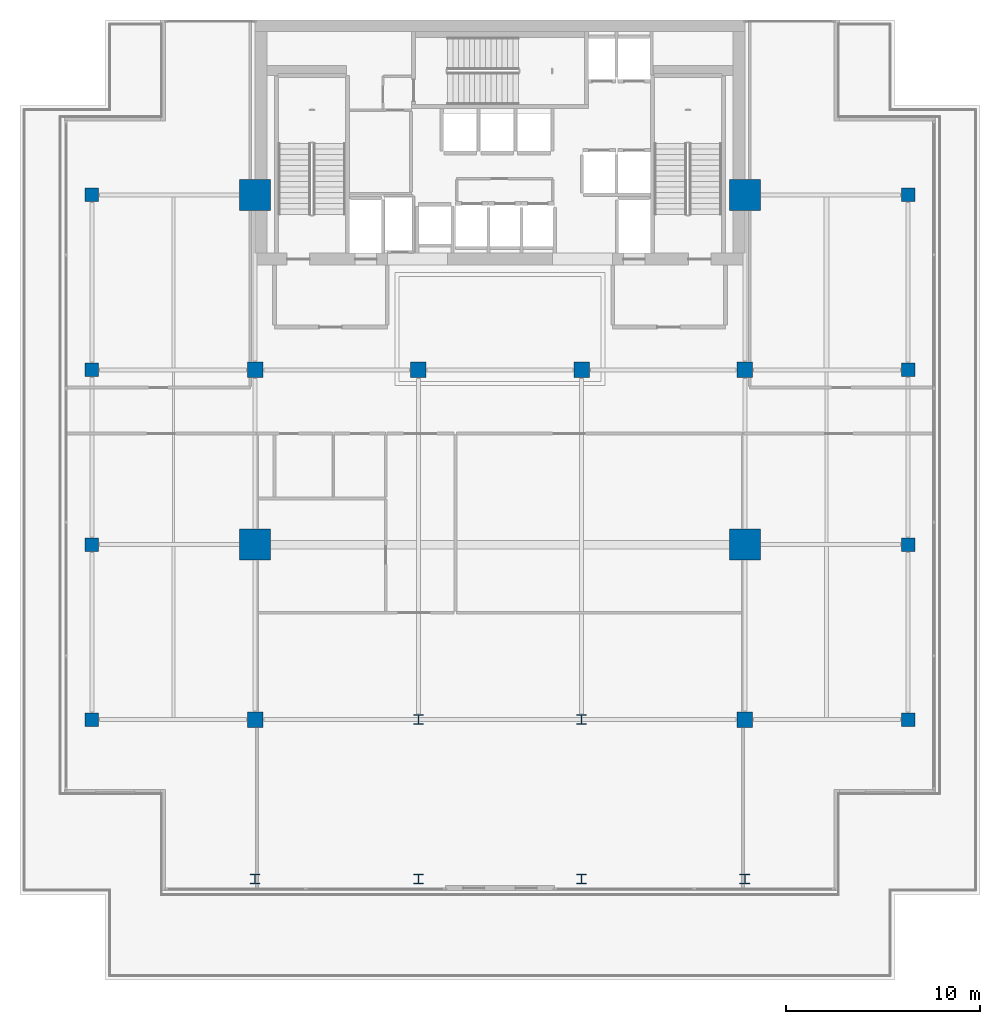
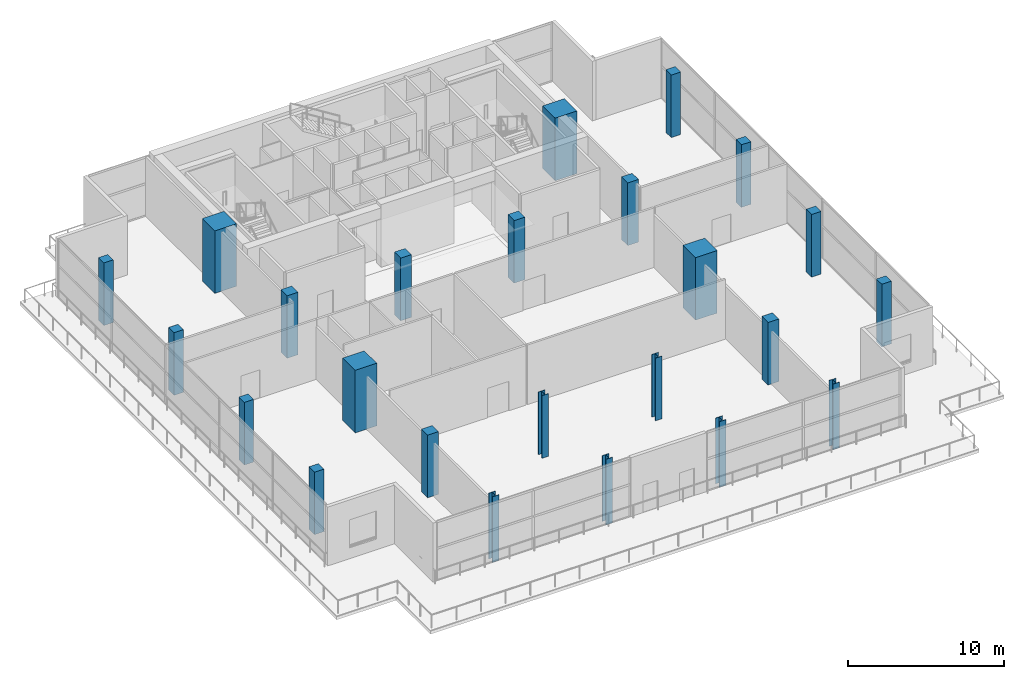
# One storey, part 1 of 28: 24 columns.
"""IFC4 building model written with IfcOpenShell, lengths in metres."""

from ifc_helpers import new_model, si_unit, direction, frame, origin, origin_2d, place, context, subcontext, project, spatial, rectangle, i_section, extrude, material, material_profile, profile_set, type_object, element, save


model = new_model("IFC4")

# Units and contexts
model_context = context("Model", 3, precision=1e-05, world=origin(), true_north=direction((0.0, 1.0)))
body_context = subcontext(model_context, "Body", "Model", "MODEL_VIEW")
ifc_project = project(units=[si_unit("LENGTHUNIT", "METRE"), si_unit("AREAUNIT", "SQUARE_METRE"), si_unit("VOLUMEUNIT", "CUBIC_METRE"), si_unit("PLANEANGLEUNIT", "RADIAN"), si_unit("MASSUNIT", "GRAM", prefix="KILO")], contexts=[model_context])

# Site, building, storey
site_placement = place(None, origin())
site = spatial("IfcSite", under=ifc_project, at=site_placement, CompositionType="ELEMENT")
building_placement = place(site_placement, origin())
building = spatial("IfcBuilding", under=site, at=building_placement, Name="Maruvema Waterfront Hotel and Observation Tower", CompositionType="ELEMENT")
storey_placement = place(building_placement, frame((0.0, 0.0, 234.5)))
storey = spatial("IfcBuildingStorey", under=building, at=storey_placement, Name="L57", CompositionType="ELEMENT", Elevation=234.5)

# Columns
ifc_material_1 = material(Name="Concrete C70/85", Category="concrete")
ifc_material_profile_1 = material_profile(ifc_material_1, rectangle(XDim=1.60009765625, YDim=1.60009765625, at=origin_2d()), Name="MC1600x1600")
ifc_profile_set_1 = profile_set([ifc_material_profile_1], Name="Concrete C70/85")
column_type_1 = type_object("IfcColumnType", Name="Continuous Mega-Column MC1600x1600", PredefinedType="COLUMN", material=ifc_profile_set_1)
for number, where, z_axis, x_axis, name in (
    (1, (25.199951171875, 27.0, 0.0), (0.0, 0.0, 1.0), (1.0, 0.0, 0.0), "L57 Continuous Mega-Column MC-01"),
    (2, (50.39990234375, 27.0, 0.0), (0.0, 0.0, 1.0), (1.0, 0.0, 0.0), "L57 Continuous Mega-Column MC-02"),
    (3, (25.199951171875, 45.0, 0.0), (0.0, 0.0, 1.0), (1.0, 0.0, 0.0), "L57 Continuous Mega-Column MC-03"),
    (4, (50.39990234375, 45.0, 0.0), (0.0, 0.0, 1.0), (1.0, 0.0, 0.0), "L57 Continuous Mega-Column MC-04"),
):
    element("IfcColumn", number, at=place(storey_placement, frame(where, z_axis=z_axis, x_axis=x_axis)), inside=storey, type_object=column_type_1, Name=name, PredefinedType="COLUMN", context=body_context, shape_type="SweptSolid", body=[
        extrude(rectangle(XDim=1.60009765625, YDim=1.60009765625, at=origin_2d()), origin(), (0.0, 0.0, 1.0), 4.89990234375),
    ])
ifc_material_2 = material(Name="Concrete C60/75", Category="concrete")
ifc_material_profile_2 = material_profile(ifc_material_2, rectangle(XDim=0.699951171875, YDim=0.699951171875, at=origin_2d()), Name="RC700x700")
ifc_profile_set_2 = profile_set([ifc_material_profile_2], Name="Concrete C60/75")
column_type_2 = type_object("IfcColumnType", Name="Reinforced Concrete Column RC700x700", PredefinedType="COLUMN", material=ifc_profile_set_2)
for number, where, z_axis, x_axis, name in (
    (5, (16.800048828125, 18.0, 0.0), (0.0, 0.0, 1.0), (1.0, 0.0, 0.0), "L57 Column C-3Y18"),
    (6, (58.800048828125, 18.0, 0.0), (0.0, 0.0, 1.0), (1.0, 0.0, 0.0), "L57 Column C-8Y18"),
    (7, (16.800048828125, 27.0, 0.0), (0.0, 0.0, 1.0), (1.0, 0.0, 0.0), "L57 Column C-3Y27"),
    (8, (58.800048828125, 27.0, 0.0), (0.0, 0.0, 1.0), (1.0, 0.0, 0.0), "L57 Column C-8Y27"),
    (9, (16.800048828125, 36.0, 0.0), (0.0, 0.0, 1.0), (1.0, 0.0, 0.0), "L57 Column C-3Y36"),
    (10, (58.800048828125, 36.0, 0.0), (0.0, 0.0, 1.0), (1.0, 0.0, 0.0), "L57 Column C-8Y36"),
    (11, (16.800048828125, 45.0, 0.0), (0.0, 0.0, 1.0), (1.0, 0.0, 0.0), "L57 Column C-3Y45"),
    (12, (58.800048828125, 45.0, 0.0), (0.0, 0.0, 1.0), (1.0, 0.0, 0.0), "L57 Column C-8Y45"),
):
    element("IfcColumn", number, at=place(storey_placement, frame(where, z_axis=z_axis, x_axis=x_axis)), inside=storey, type_object=column_type_2, Name=name, PredefinedType="COLUMN", context=body_context, shape_type="SweptSolid", body=[
        extrude(rectangle(XDim=0.699951171875, YDim=0.699951171875, at=origin_2d()), origin(), (0.0, 0.0, 1.0), 4.89990234375),
    ])
ifc_material_3 = material(Name="Concrete C60/75", Category="concrete")
ifc_material_profile_3 = material_profile(ifc_material_3, rectangle(XDim=0.800048828125, YDim=0.800048828125, at=origin_2d()), Name="RC800x800")
ifc_profile_set_3 = profile_set([ifc_material_profile_3], Name="Concrete C60/75")
column_type_3 = type_object("IfcColumnType", Name="Reinforced Concrete Column RC800x800", PredefinedType="COLUMN", material=ifc_profile_set_3)
for number, where, z_axis, x_axis, name in (
    (13, (25.199951171875, 36.0, 0.0), (0.0, 0.0, 1.0), (1.0, 0.0, 0.0), "L57 Column C-4E"),
    (14, (33.60009765625, 36.0, 0.0), (0.0, 0.0, 1.0), (1.0, 0.0, 0.0), "L57 Column C-5E"),
    (15, (42.0, 36.0, 0.0), (0.0, 0.0, 1.0), (1.0, 0.0, 0.0), "L57 Column C-6E"),
    (16, (50.39990234375, 36.0, 0.0), (0.0, 0.0, 1.0), (1.0, 0.0, 0.0), "L57 Column C-7E"),
    (17, (25.199951171875, 18.0, 0.0), (0.0, 0.0, 1.0), (1.0, 0.0, 0.0), "L57 Column C-4C"),
    (18, (50.39990234375, 18.0, 0.0), (0.0, 0.0, 1.0), (1.0, 0.0, 0.0), "L57 Column C-7C"),
):
    element("IfcColumn", number, at=place(storey_placement, frame(where, z_axis=z_axis, x_axis=x_axis)), inside=storey, type_object=column_type_3, Name=name, PredefinedType="COLUMN", context=body_context, shape_type="SweptSolid", body=[
        extrude(rectangle(XDim=0.800048828125, YDim=0.800048828125, at=origin_2d()), origin(), (0.0, 0.0, 1.0), 4.89990234375),
    ])
ifc_material_4 = material(Name="Steel ABNT NBR 7007 AR 415 (ASTM A572 Grade 50)", Category="steel")
ifc_material_profile_4 = material_profile(ifc_material_4, i_section(OverallWidth=0.5, OverallDepth=0.5, WebThickness=0.02197265625, FlangeThickness=0.031982421875, at=origin_2d()), Name="CVS500x223")
ifc_profile_set_4 = profile_set([ifc_material_profile_4], Name="Steel ABNT NBR 7007 AR 415 (ASTM A572 Grade 50)")
column_type_4 = type_object("IfcColumnType", Name="Structural Steel Column CVS500x223", PredefinedType="COLUMN", material=ifc_profile_set_4)
for number, where, z_axis, x_axis, name in (
    (19, (33.60009765625, 18.0, 0.0), (0.0, 0.0, 1.0), (1.0, 0.0, 0.0), "L57 Column C-5C"),
    (20, (42.0, 18.0, 0.0), (0.0, 0.0, 1.0), (1.0, 0.0, 0.0), "L57 Column C-6C"),
):
    element("IfcColumn", number, at=place(storey_placement, frame(where, z_axis=z_axis, x_axis=x_axis)), inside=storey, type_object=column_type_4, Name=name, PredefinedType="COLUMN", context=body_context, shape_type="SweptSolid", body=[
        extrude(i_section(OverallWidth=0.5, OverallDepth=0.5, WebThickness=0.02197265625, FlangeThickness=0.031982421875, at=origin_2d()), origin(), (0.0, 0.0, 1.0), 4.89990234375),
    ])
for number, where, z_axis, x_axis, name in (
    (21, (25.199951171875, 9.800048828125, -0.239990234375), (0.0, 0.0, 1.0), (1.0, 0.0, 0.0), "L57 Column C-Z3S4"),
    (22, (33.60009765625, 9.800048828125, -0.239990234375), (0.0, 0.0, 1.0), (1.0, 0.0, 0.0), "L57 Column C-Z3S5"),
    (23, (42.0, 9.800048828125, -0.239990234375), (0.0, 0.0, 1.0), (1.0, 0.0, 0.0), "L57 Column C-Z3S6"),
    (24, (50.39990234375, 9.800048828125, -0.239990234375), (0.0, 0.0, 1.0), (1.0, 0.0, 0.0), "L57 Column C-Z3S7"),
):
    element("IfcColumn", number, at=place(storey_placement, frame(where, z_axis=z_axis, x_axis=x_axis)), inside=storey, type_object=column_type_4, Name=name, PredefinedType="COLUMN", context=body_context, shape_type="SweptSolid", body=[
        extrude(i_section(OverallWidth=0.5, OverallDepth=0.5, WebThickness=0.02197265625, FlangeThickness=0.031982421875, at=origin_2d()), origin(), (0.0, 0.0, 1.0), 5.139892578125),
    ])

save(model, "model.ifc")
